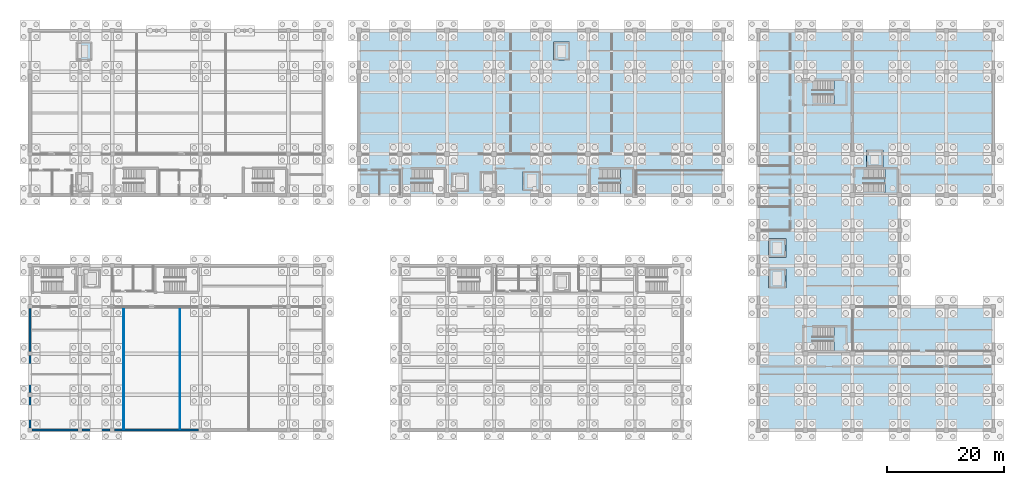
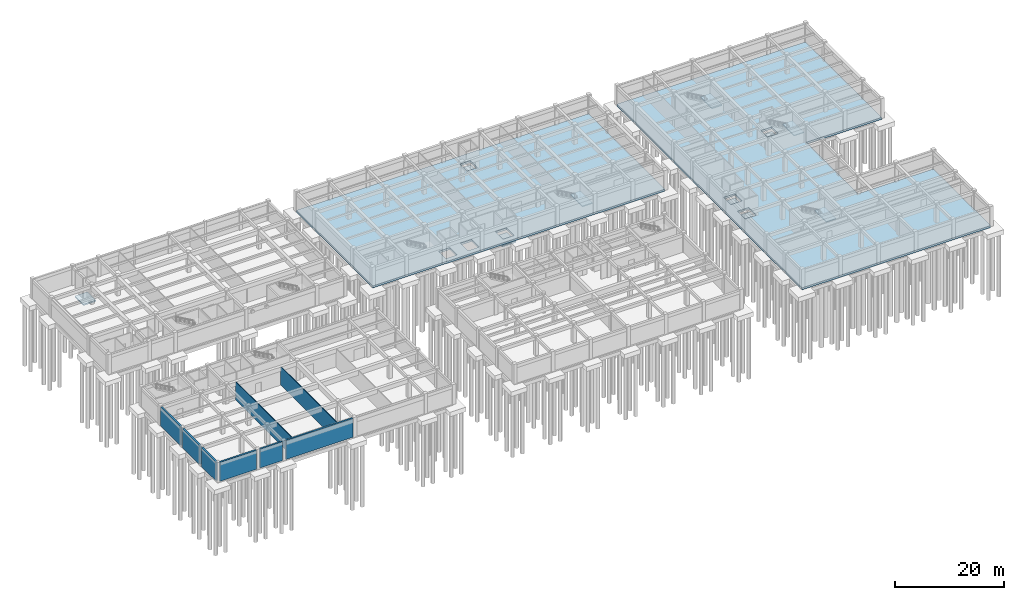
# One storey, part 14 of 28: 12 slabs, 8 walls, 4 elements without a shape of their own.
"""IFC4 building model written with IfcOpenShell, lengths in metres."""

from ifc_helpers import new_model, si_unit, direction, frame, frame_2d, origin, place, context, subcontext, project, spatial, polyline, rectangle, outline, extrude, material, layer, layer_set, type_object, element, aggregate, save


model = new_model("IFC4")

# Units and contexts
model_context = context("Model", 3, precision=1e-05, world=origin(), true_north=direction((0.0, 1.0)))
body_context = subcontext(model_context, "Body", "Model", "MODEL_VIEW")
ifc_project = project(units=[si_unit("LENGTHUNIT", "METRE"), si_unit("AREAUNIT", "SQUARE_METRE"), si_unit("VOLUMEUNIT", "CUBIC_METRE"), si_unit("PLANEANGLEUNIT", "RADIAN"), si_unit("MASSUNIT", "GRAM", prefix="KILO")], contexts=[model_context])

# Site, building, storey
site_placement = place(None, origin())
site = spatial("IfcSite", under=ifc_project, at=site_placement, CompositionType="ELEMENT")
building_placement = place(site_placement, origin())
building = spatial("IfcBuilding", under=site, at=building_placement, Name="Naurynzar Civic Courthouse", CompositionType="ELEMENT")
storey_placement = place(building_placement, frame((0.0, 0.0, -4.5)))
storey = spatial("IfcBuildingStorey", under=building, at=storey_placement, Name="B01", CompositionType="ELEMENT", Elevation=-4.5)

# Slabs
ifc_material_1 = material(Name="Concrete C35/45", Category="concrete")
ifc_layer_1 = layer(ifc_material_1, 0.449951171875)
ifc_layer_set_1 = layer_set([ifc_layer_1], Name="SLB-BASE-450")
slab_type_1 = type_object("IfcSlabType", Name="SLB-BASE-450", PredefinedType="BASESLAB", material=ifc_layer_set_1)
slab_1_placement = place(storey_placement, frame((0.0, 0.0, -0.449951171875)))
element("IfcSlab", 1, at=slab_1_placement, inside=storey, type_object=slab_type_1, Name="V2 base slab B01", PredefinedType="BASESLAB", context=body_context, shape_type="SweptSolid", body=[
    extrude(outline(polyline([(124.0, 44.0), (124.0, 72.0), (62.0, 72.0), (62.0, 44.0), (124.0, 44.0)]), holes=[polyline([(78.0, 44.85009765625), (80.39990234375, 44.85009765625), (80.39990234375, 47.550048828125), (78.0, 47.550048828125), (78.0, 44.85009765625)]), polyline([(82.800048828125, 45.0), (85.199951171875, 45.0), (85.199951171875, 47.800048828125), (82.800048828125, 47.800048828125), (82.800048828125, 45.0)]), polyline([(90.199951171875, 45.0), (92.60009765625, 45.0), (92.60009765625, 47.800048828125), (90.199951171875, 47.800048828125), (90.199951171875, 45.0)]), polyline([(95.39990234375, 67.199951171875), (97.60009765625, 67.199951171875), (97.60009765625, 69.800048828125), (95.39990234375, 69.800048828125), (95.39990234375, 67.199951171875)])]), origin(), (0.0, 0.0, 1.0), 0.449951171875),
])
slab_2_placement = place(storey_placement, frame((0.0, 0.0, -0.449951171875)))
element("IfcSlab", 2, at=slab_2_placement, inside=storey, type_object=slab_type_1, Name="V5 base slab B01", PredefinedType="BASESLAB", context=body_context, shape_type="SweptSolid", body=[
    extrude(outline(polyline([(170.0, 4.0), (130.0, 4.0), (130.0, 72.0), (170.0, 72.0), (170.0, 44.0), (154.0, 44.0), (154.0, 25.0), (170.0, 25.0), (170.0, 4.0)]), holes=[polyline([(132.0, 33.64990234375), (134.39990234375, 33.64990234375), (134.39990234375, 36.35009765625), (132.0, 36.35009765625), (132.0, 33.64990234375)]), polyline([(132.0, 28.39990234375), (134.39990234375, 28.39990234375), (134.39990234375, 31.199951171875), (132.0, 31.199951171875), (132.0, 28.39990234375)]), polyline([(148.64990234375, 49.050048828125), (150.949951171875, 49.050048828125), (150.949951171875, 51.449951171875), (148.64990234375, 51.449951171875), (148.64990234375, 49.050048828125)])]), origin(), (0.0, 0.0, 1.0), 0.449951171875),
])

# Stair, slab
ifc_material_2 = material(Name="Concrete C35/45", Category="concrete")
stair_type_1 = type_object("IfcStairType", Name="STAIR-CORE-1600", PredefinedType="TWO_STRAIGHT_RUN_STAIR", material=ifc_material_2)
stair_1_placement = place(storey_placement, origin())
stair_1 = element("IfcStair", 3, at=stair_1_placement, inside=storey, type_object=stair_type_1, Name="Enclosed escape stair ST-V2B B01", PredefinedType="TWO_STRAIGHT_RUN_STAIR")
ifc_material_3 = material(Name="Concrete C35/45", Category="concrete")
ifc_layer_2 = layer(ifc_material_3, 0.199951171875)
ifc_layer_set_2 = layer_set([ifc_layer_2], Name="SLB-LAND-200")
slab_type_2 = type_object("IfcSlabType", Name="SLB-LAND-200", PredefinedType="LANDING", material=ifc_layer_set_2)
slab_3_placement = place(storey_placement, frame((0.0, 0.0, 2.050048828125)))
slab_3 = element("IfcSlab", 4, at=slab_3_placement, type_object=slab_type_2, Name="ST-V2B-B01 landing 1", PredefinedType="LANDING", context=body_context, shape_type="SweptSolid", body=[
    extrude(outline(polyline([(106.5400390625, 44.080078125), (108.669921875, 44.080078125), (108.669921875, 48.52001953125), (106.5400390625, 48.52001953125), (106.5400390625, 44.080078125)])), origin(), (0.0, 0.0, 1.0), 0.199951171875),
])
aggregate(stair_1, [slab_3])

stair_2_placement = place(storey_placement, origin())
stair_2 = element("IfcStair", 5, at=stair_2_placement, inside=storey, type_object=stair_type_1, Name="Enclosed escape stair ST-V5A B01", PredefinedType="TWO_STRAIGHT_RUN_STAIR")
slab_4_placement = place(storey_placement, frame((0.0, 0.0, 2.050048828125)))
slab_4 = element("IfcSlab", 6, at=slab_4_placement, type_object=slab_type_2, Name="ST-V5A-B01 landing 1", PredefinedType="LANDING", context=body_context, shape_type="SweptSolid", body=[
    extrude(outline(polyline([(142.840087890625, 17.3798828125), (144.969970703125, 17.3798828125), (144.969970703125, 21.6201171875), (142.840087890625, 21.6201171875), (142.840087890625, 17.3798828125)])), origin(), (0.0, 0.0, 1.0), 0.199951171875),
])
aggregate(stair_2, [slab_4])

stair_3_placement = place(storey_placement, origin())
stair_3 = element("IfcStair", 7, at=stair_3_placement, inside=storey, type_object=stair_type_1, Name="Enclosed escape stair ST-V5B B01", PredefinedType="TWO_STRAIGHT_RUN_STAIR")
slab_5_placement = place(storey_placement, frame((0.0, 0.0, 2.050048828125)))
slab_5 = element("IfcSlab", 8, at=slab_5_placement, type_object=slab_type_2, Name="ST-V5B-B01 landing 1", PredefinedType="LANDING", context=body_context, shape_type="SweptSolid", body=[
    extrude(outline(polyline([(142.840087890625, 59.3798828125), (144.969970703125, 59.3798828125), (144.969970703125, 63.6201171875), (142.840087890625, 63.6201171875), (142.840087890625, 59.3798828125)])), origin(), (0.0, 0.0, 1.0), 0.199951171875),
])
aggregate(stair_3, [slab_5])

ifc_material_4 = material(Name="Concrete C35/45", Category="concrete")
stair_type_2 = type_object("IfcStairType", Name="STAIR-CUS-1550", PredefinedType="TWO_STRAIGHT_RUN_STAIR", material=ifc_material_4)
stair_4_placement = place(storey_placement, origin())
stair_4 = element("IfcStair", 9, at=stair_4_placement, inside=storey, type_object=stair_type_2, Name="Enclosed escape stair ST-CUS B01", PredefinedType="TWO_STRAIGHT_RUN_STAIR")
slab_6_placement = place(storey_placement, frame((0.0, 0.0, 2.050048828125)))
slab_6 = element("IfcSlab", 10, at=slab_6_placement, type_object=slab_type_2, Name="ST-CUS-B01 landing 1", PredefinedType="LANDING", context=body_context, shape_type="SweptSolid", body=[
    extrude(outline(polyline([(151.5400390625, 44.280029296875), (153.669921875, 44.280029296875), (153.669921875, 48.52001953125), (151.5400390625, 48.52001953125), (151.5400390625, 44.280029296875)])), origin(), (0.0, 0.0, 1.0), 0.199951171875),
])
aggregate(stair_4, [slab_6])

# Slabs
ifc_material_5 = material(Name="Concrete C35/45", Category="concrete")
ifc_layer_3 = layer(ifc_material_5, 0.320068359375)
ifc_layer_set_3 = layer_set([ifc_layer_3], Name="SLB-PIT-320")
slab_type_3 = type_object("IfcSlabType", Name="SLB-PIT-320", PredefinedType="BASESLAB", material=ifc_layer_set_3)
slab_7_placement = place(storey_placement, frame((0.0, 0.0, -1.52001953125)))
element("IfcSlab", 11, at=slab_7_placement, inside=storey, type_object=slab_type_3, Name="Lift LJ-01 structural pit slab", PredefinedType="BASESLAB", context=body_context, shape_type="SweptSolid", body=[
    extrude(outline(polyline([(13.85009765625, 66.949951171875), (16.550048828125, 66.949951171875), (16.550048828125, 70.050048828125), (13.85009765625, 70.050048828125), (13.85009765625, 66.949951171875)])), origin(), (0.0, 0.0, 1.0), 0.320068359375),
])
slab_8_placement = place(storey_placement, frame((0.0, 0.0, -1.52001953125)))
element("IfcSlab", 12, at=slab_8_placement, inside=storey, type_object=slab_type_3, Name="Lift FL-01 structural pit slab", PredefinedType="BASESLAB", context=body_context, shape_type="SweptSolid", body=[
    extrude(outline(polyline([(89.949951171875, 44.75), (92.85009765625, 44.75), (92.85009765625, 48.050048828125), (89.949951171875, 48.050048828125), (89.949951171875, 44.75)])), origin(), (0.0, 0.0, 1.0), 0.320068359375),
])
slab_9_placement = place(storey_placement, frame((0.0, 0.0, -1.52001953125)))
element("IfcSlab", 13, at=slab_9_placement, inside=storey, type_object=slab_type_3, Name="Lift LJ-02 structural pit slab", PredefinedType="BASESLAB", context=body_context, shape_type="SweptSolid", body=[
    extrude(outline(polyline([(95.14990234375, 66.949951171875), (97.85009765625, 66.949951171875), (97.85009765625, 70.050048828125), (95.14990234375, 70.050048828125), (95.14990234375, 66.949951171875)])), origin(), (0.0, 0.0, 1.0), 0.320068359375),
])
slab_10_placement = place(storey_placement, frame((0.0, 0.0, -1.52001953125)))
element("IfcSlab", 14, at=slab_10_placement, inside=storey, type_object=slab_type_3, Name="Lift LP-05 structural pit slab", PredefinedType="BASESLAB", context=body_context, shape_type="SweptSolid", body=[
    extrude(outline(polyline([(131.75, 33.39990234375), (134.64990234375, 33.39990234375), (134.64990234375, 36.60009765625), (131.75, 36.60009765625), (131.75, 33.39990234375)])), origin(), (0.0, 0.0, 1.0), 0.320068359375),
])
slab_11_placement = place(storey_placement, frame((0.0, 0.0, -1.52001953125)))
element("IfcSlab", 15, at=slab_11_placement, inside=storey, type_object=slab_type_3, Name="Lift LP-06 structural pit slab", PredefinedType="BASESLAB", context=body_context, shape_type="SweptSolid", body=[
    extrude(outline(polyline([(131.75, 28.14990234375), (134.64990234375, 28.14990234375), (134.64990234375, 31.449951171875), (131.75, 31.449951171875), (131.75, 28.14990234375)])), origin(), (0.0, 0.0, 1.0), 0.320068359375),
])
slab_12_placement = place(storey_placement, frame((0.0, 0.0, -1.52001953125)))
element("IfcSlab", 16, at=slab_12_placement, inside=storey, type_object=slab_type_3, Name="Lift LF-CUS structural pit slab", PredefinedType="BASESLAB", context=body_context, shape_type="SweptSolid", body=[
    extrude(outline(polyline([(148.39990234375, 48.800048828125), (151.199951171875, 48.800048828125), (151.199951171875, 51.699951171875), (148.39990234375, 51.699951171875), (148.39990234375, 48.800048828125)])), origin(), (0.0, 0.0, 1.0), 0.320068359375),
])

# Walls
ifc_material_6 = material(Name="Fire-Rated Corridor Gypsum Partition")
ifc_layer_4 = layer(ifc_material_6, 0.14990234375)
ifc_layer_set_4 = layer_set([ifc_layer_4], Name="WL-PART-CORR-150")
wall_type_1 = type_object("IfcWallType", Name="WL-PART-CORR-150", PredefinedType="PARTITIONING", material=ifc_layer_set_4)
for number, where, z_axis, x_axis, name in (
    (17, (21.9599609375, 4.080078125, 0.0), (0.0, 0.0, 1.0), (0.0, 1.0, 0.0), "V4 interior partition B01.40"),
    (18, (31.530029296875, 4.080078125, 0.0), (0.0, 0.0, 1.0), (0.0, 1.0, 0.0), "V4 interior partition B01.46"),
):
    element("IfcWall", number, at=place(storey_placement, frame(where, z_axis=z_axis, x_axis=x_axis)), inside=storey, type_object=wall_type_1, Name=name, PredefinedType="PARTITIONING", context=body_context, shape_type="SweptSolid", body=[
        extrude(rectangle(XDim=20.83984375, YDim=0.14990234375, at=frame_2d((10.419921875, 0.0))), origin(), (0.0, 0.0, 1.0), 4.139892578125),
    ])
ifc_material_7 = material(Name="Concrete C40/50", Category="concrete")
ifc_layer_5 = layer(ifc_material_7, 0.3798828125)
ifc_layer_set_5 = layer_set([ifc_layer_5], Name="WL-RET-380")
wall_type_2 = type_object("IfcWallType", Name="WL-RET-380", PredefinedType="STANDARD", material=ifc_layer_set_5)
wall_1_placement = place(storey_placement, frame((6.0, 4.35009765625, 0.0), z_axis=(0.0, 0.0, 1.0), x_axis=(0.0, 1.0, 0.0)))
element("IfcWall", 19, at=wall_1_placement, inside=storey, type_object=wall_type_2, Name="V4 basement retaining wall west 1", PredefinedType="STANDARD", context=body_context, shape_type="SweptSolid", body=[
    extrude(rectangle(XDim=5.2998046875, YDim=0.3798828125, at=frame_2d((2.64990234375, 0.0))), origin(), (0.0, 0.0, 1.0), 4.239990234375),
])
wall_2_placement = place(storey_placement, frame((6.0, 10.35009765625, 0.0), z_axis=(0.0, 0.0, 1.0), x_axis=(0.0, 1.0, 0.0)))
element("IfcWall", 20, at=wall_2_placement, inside=storey, type_object=wall_type_2, Name="V4 basement retaining wall west 2", PredefinedType="STANDARD", context=body_context, shape_type="SweptSolid", body=[
    extrude(rectangle(XDim=6.2998046875, YDim=0.3798828125, at=frame_2d((3.14990234375, 0.0))), origin(), (0.0, 0.0, 1.0), 4.239990234375),
])
wall_3_placement = place(storey_placement, frame((6.0, 17.35009765625, 0.0), z_axis=(0.0, 0.0, 1.0), x_axis=(0.0, 1.0, 0.0)))
element("IfcWall", 21, at=wall_3_placement, inside=storey, type_object=wall_type_2, Name="V4 basement retaining wall west 3", PredefinedType="STANDARD", context=body_context, shape_type="SweptSolid", body=[
    extrude(rectangle(XDim=7.2998046875, YDim=0.3798828125, at=frame_2d((3.64990234375, 0.0))), origin(), (0.0, 0.0, 1.0), 4.239990234375),
])
wall_4_placement = place(storey_placement, frame((34.64990234375, 4.0, 0.0), z_axis=(0.0, 0.0, 1.0), x_axis=(-1.0, 0.0, 0.0)))
element("IfcWall", 22, at=wall_4_placement, inside=storey, type_object=wall_type_2, Name="V4 basement retaining wall south 3", PredefinedType="STANDARD", context=body_context, shape_type="SweptSolid", body=[
    extrude(rectangle(XDim=14.2998046875, YDim=0.3798828125, at=frame_2d((7.14990234375, 0.0))), origin(), (0.0, 0.0, 1.0), 4.239990234375),
])
wall_5_placement = place(storey_placement, frame((19.64990234375, 4.0, 0.0), z_axis=(0.0, 0.0, 1.0), x_axis=(-1.0, 0.0, 0.0)))
element("IfcWall", 23, at=wall_5_placement, inside=storey, type_object=wall_type_2, Name="V4 basement retaining wall south 4", PredefinedType="STANDARD", context=body_context, shape_type="SweptSolid", body=[
    extrude(rectangle(XDim=4.7998046875, YDim=0.3798828125, at=frame_2d((2.39990234375, 0.0))), origin(), (0.0, 0.0, 1.0), 4.239990234375),
])
wall_6_placement = place(storey_placement, frame((14.14990234375, 4.0, 0.0), z_axis=(0.0, 0.0, 1.0), x_axis=(-1.0, 0.0, 0.0)))
element("IfcWall", 24, at=wall_6_placement, inside=storey, type_object=wall_type_2, Name="V4 basement retaining wall south 5", PredefinedType="STANDARD", context=body_context, shape_type="SweptSolid", body=[
    extrude(rectangle(XDim=7.7998046875, YDim=0.3798828125, at=frame_2d((3.89990234375, 0.0))), origin(), (0.0, 0.0, 1.0), 4.239990234375),
])

save(model, "model.ifc")
